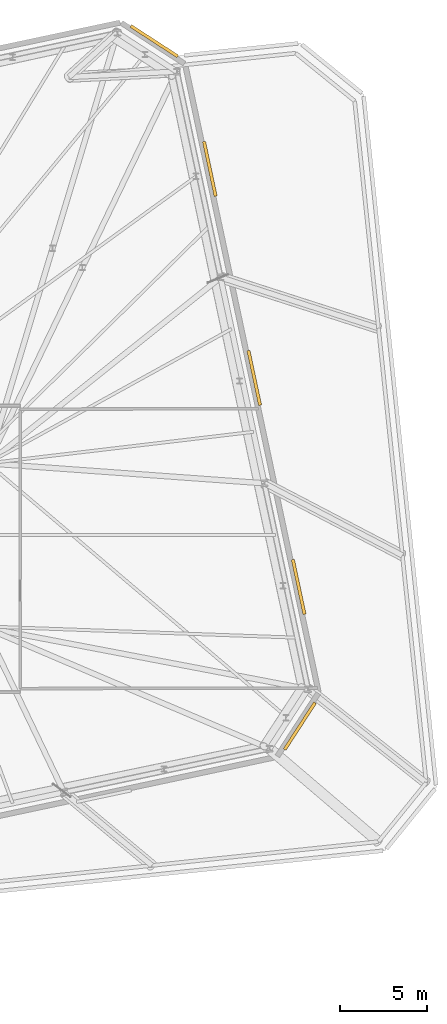
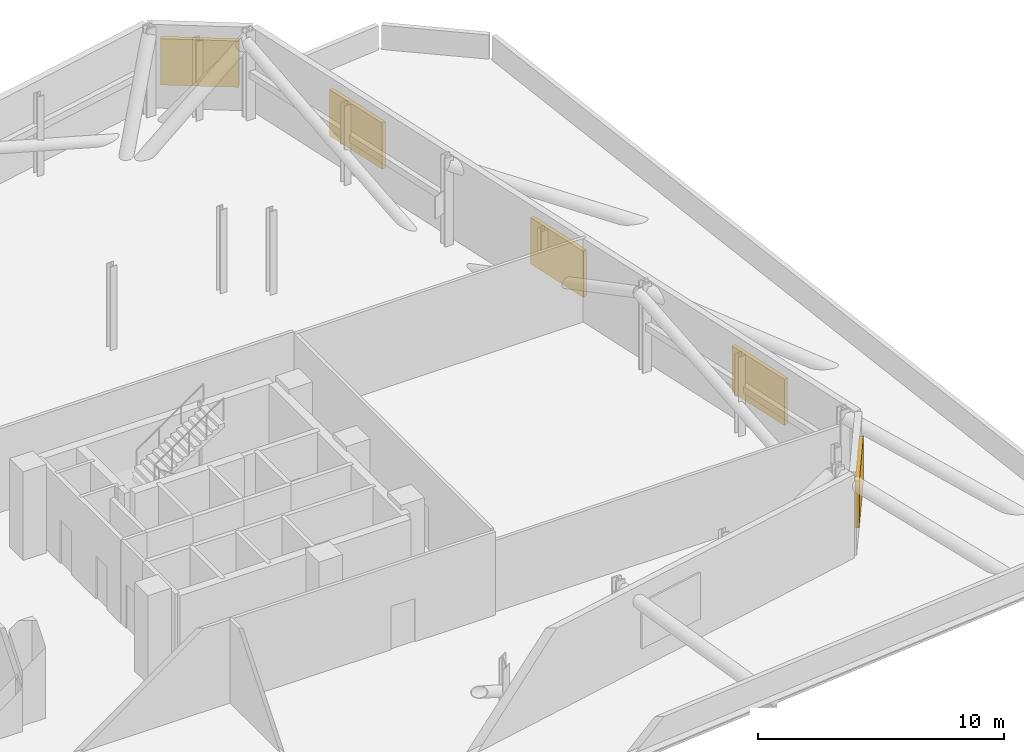
# One storey, part 19 of 19: 5 shading devices.
"""IFC4 building model written with IfcOpenShell, lengths in metres."""

import ifcopenshell
import ifcopenshell.guid

model = None  # the IFC model being written
_history = None  # IfcOwnerHistory: only IFC2X3 demands one
_inside = {}  # id of a spatial element -> (the spatial element, [elements in it])
_under = {}  # id of a project, library or spatial element -> (it, [spatial elements below it])
_declared = {}  # id of a project -> (the project, [libraries it declares])
_typed = {}  # id of a type object -> (the type object, [elements of that type])
_made_of = {}  # id of a material, layer set ... -> (it, [elements and type objects made of it])


def new_model(schema):
    """Start an empty IFC model of exactly this schema.

    Asked for "IFC4X3", IfcOpenShell would pick the latest addendum, in which some entities
    have other attributes; the version numbers below select the first issue.
    IFC2X3 requires an IfcOwnerHistory on every rooted entity: one is made here for all.
    """
    global model, _history
    if schema == "IFC4X3":
        model = ifcopenshell.file(schema_version=(4, 3, 0, 0))
    else:
        model = ifcopenshell.file(schema=schema)
    _inside.clear()
    _under.clear()
    _declared.clear()
    _typed.clear()
    _made_of.clear()
    _history = None
    if model.schema == "IFC2X3":
        org = make("IfcOrganization", Name="unknown")
        user = make(
            "IfcPersonAndOrganization",
            ThePerson=make("IfcPerson", FamilyName="unknown"),
            TheOrganization=org,
        )
        app = make(
            "IfcApplication",
            ApplicationDeveloper=org,
            Version="unknown",
            ApplicationFullName="unknown",
            ApplicationIdentifier="unknown",
        )
        _history = make(
            "IfcOwnerHistory",
            OwningUser=user,
            OwningApplication=app,
            ChangeAction="ADDED",
            CreationDate=0,
        )
    return model


def make(cls, **values):
    """One entity of the class cls with the attributes given. An attribute that is None is left unset."""
    return model.create_entity(
        cls, **{name: value for name, value in values.items() if value is not None}
    )


def rooted(cls, **values):
    """An entity with a GlobalId (a new one), such as an element, a storey or a relation."""
    return make(cls, GlobalId=ifcopenshell.guid.new(), OwnerHistory=_history, **values)


def si_unit(unit_type, name, prefix=None):
    """IfcSIUnit, for example si_unit("LENGTHUNIT", "METRE", prefix="MILLI")."""
    return make("IfcSIUnit", UnitType=unit_type, Prefix=prefix, Name=name)


def assignment(units):
    """IfcUnitAssignment: the units of a project."""
    return None if units is None else make("IfcUnitAssignment", Units=units)


def point(xyz):
    """IfcCartesianPoint."""
    return None if xyz is None else make("IfcCartesianPoint", Coordinates=xyz)


def direction(xyz):
    """IfcDirection."""
    return None if xyz is None else make("IfcDirection", DirectionRatios=xyz)


def frame(location, z_axis=None, x_axis=None):
    """IfcAxis2Placement3D, a coordinate frame: its origin and axes. An axis left out is left unset."""
    return make(
        "IfcAxis2Placement3D",
        Location=point(location),
        Axis=direction(z_axis),
        RefDirection=direction(x_axis),
    )


def frame_2d(location, x_axis=None):
    """IfcAxis2Placement2D, a coordinate frame in the plane: its origin and x axis."""
    return make(
        "IfcAxis2Placement2D", Location=point(location), RefDirection=direction(x_axis)
    )


def origin():
    """The frame at (0, 0, 0) with its axes left unset."""
    return frame((0.0, 0.0, 0.0))


def origin_2d():
    """The frame at (0, 0) in the plane with its x axis left unset."""
    return frame_2d((0.0, 0.0))


def place(relative_to, where):
    """IfcLocalPlacement: puts the frame where relative to a parent placement (None: the world)."""
    return make(
        "IfcLocalPlacement", PlacementRelTo=relative_to, RelativePlacement=where
    )


def context(
    kind, dimensions, precision=None, world=None, true_north=None, identifier=None
):
    """IfcGeometricRepresentationContext, for example the 3D "Model" context."""
    return make(
        "IfcGeometricRepresentationContext",
        ContextIdentifier=identifier,
        ContextType=kind,
        CoordinateSpaceDimension=dimensions,
        Precision=precision,
        WorldCoordinateSystem=world,
        TrueNorth=true_north,
    )


def subcontext(parent, identifier, kind, view, scale=None):
    """IfcGeometricRepresentationSubContext, for example "Body" below "Model"."""
    return make(
        "IfcGeometricRepresentationSubContext",
        ContextIdentifier=identifier,
        ContextType=kind,
        ParentContext=parent,
        TargetScale=scale,
        TargetView=view,
    )


def project(units=None, contexts=None):
    """IfcProject with its units and contexts."""
    return rooted(
        "IfcProject",
        Name="project",
        RepresentationContexts=contexts,
        UnitsInContext=assignment(units),
    )


def spatial(cls, under=None, at=None, **own):
    """A site, building, storey or space (cls), placed at a placement, below another one or the project."""
    s = rooted(cls, ObjectPlacement=at, **own)
    if under is not None:
        _under.setdefault(under.id(), (under, []))[1].append(s)
    return s


def profile(cls, at=None, kind="AREA", **sizes):
    """A parametric profile (cls). Its sizes go by their IFC names, for example OverallWidth=200.0."""
    return make(cls, ProfileType=kind, Position=at, **sizes)


def rectangle(**sizes):
    """IfcRectangleProfileDef."""
    return profile("IfcRectangleProfileDef", **sizes)


def extrude(swept, where, along, depth):
    """IfcExtrudedAreaSolid: the profile swept, set in the frame where, extruded along a direction by depth."""
    return make(
        "IfcExtrudedAreaSolid",
        SweptArea=swept,
        Position=where,
        ExtrudedDirection=direction(along),
        Depth=depth,
    )


def shape(context_of_items, identifier, shape_type, items):
    """IfcShapeRepresentation: the items that make up one representation, for example the "Body"."""
    return make(
        "IfcShapeRepresentation",
        ContextOfItems=context_of_items,
        RepresentationIdentifier=identifier,
        RepresentationType=shape_type,
        Items=items,
    )


def material(Name=None, Category=None):
    """IfcMaterial."""
    return make("IfcMaterial", Name=Name, Category=Category)


def made_of(thing, what):
    """Note that an element or type object is made of a material, layer set ...; save() writes the relation."""
    if what is not None:
        _made_of.setdefault(what.id(), (what, []))[1].append(thing)
    return thing


def type_object(cls, material=None, **own):
    """A type object (cls), such as IfcWallType, which elements share."""
    return made_of(rooted(cls, **own), material)


def element(
    cls,
    number,
    at=None,
    inside=None,
    cuts=None,
    type_object=None,
    material=None,
    context=None,
    identifier="Body",
    shape_type=None,
    held_by="IfcProductDefinitionShape",
    body=None,
    shapes=None,
    **own,
):
    """One element of the class cls, such as IfcWall. Its Tag is "e" and its number.

    at: its placement. inside: the storey or other place that contains it. cuts: it is an
    opening in that element (IfcRelVoidsElement). A single representation is given by context,
    identifier, shape_type and body (its items); several are given by shapes. held_by: the class
    of the entity that holds the representations. save() writes the other relations.
    """
    e = rooted(cls, Tag="e%d" % number, ObjectPlacement=at, **own)
    if body is not None:
        shapes = [shape(context, identifier, shape_type, body)]
    if shapes is not None:
        e.Representation = make(held_by, Representations=shapes)
    if inside is not None:
        _inside.setdefault(inside.id(), (inside, []))[1].append(e)
    if cuts is not None:
        rooted(
            "IfcRelVoidsElement", RelatingBuildingElement=cuts, RelatedOpeningElement=e
        )
    if type_object is not None:
        _typed.setdefault(type_object.id(), (type_object, []))[1].append(e)
    return made_of(e, material)


def aggregate(whole, parts):
    """IfcRelAggregates: a whole, such as a stair, and the parts it consists of."""
    return rooted("IfcRelAggregates", RelatingObject=whole, RelatedObjects=parts)


def save(model, path):
    """Write the relations noted so far, then the file.

    IfcRelAggregates (storeys below a building ...), IfcRelContainedInSpatialStructure (elements
    in a storey), IfcRelDefinesByType, IfcRelAssociatesMaterial and IfcRelDeclares: one each for
    every whole, place, type object, material and project.
    """
    for whole, parts in _under.values():
        aggregate(whole, parts)
    for where, things in _inside.values():
        rooted(
            "IfcRelContainedInSpatialStructure",
            RelatedElements=things,
            RelatingStructure=where,
        )
    for kind, things in _typed.values():
        rooted("IfcRelDefinesByType", RelatedObjects=things, RelatingType=kind)
    for what, things in _made_of.values():
        rooted("IfcRelAssociatesMaterial", RelatedObjects=things, RelatingMaterial=what)
    for by, libraries in _declared.values():
        rooted("IfcRelDeclares", RelatingContext=by, RelatedDefinitions=libraries)
    model.write(path)


model = new_model("IFC4")

# Units and contexts
model_context = context("Model", 3, precision=1e-05, world=origin(), true_north=direction((0.0, 1.0)))
body_context = subcontext(model_context, "Body", "Model", "MODEL_VIEW")
ifc_project = project(units=[si_unit("LENGTHUNIT", "METRE"), si_unit("AREAUNIT", "SQUARE_METRE"), si_unit("VOLUMEUNIT", "CUBIC_METRE"), si_unit("PLANEANGLEUNIT", "RADIAN"), si_unit("MASSUNIT", "GRAM", prefix="KILO")], contexts=[model_context])

# Site, building, storey
site_placement = place(None, origin())
site = spatial("IfcSite", under=ifc_project, at=site_placement, CompositionType="ELEMENT")
building_placement = place(site_placement, origin())
building = spatial("IfcBuilding", under=site, at=building_placement, Name="Menara Jurai Vektor", CompositionType="ELEMENT")
storey_placement = place(building_placement, frame((0.0, 0.0, 142.89990234375)))
storey = spatial("IfcBuildingStorey", under=building, at=storey_placement, Name="L36", CompositionType="ELEMENT", Elevation=142.89990234375)

# Shading devices
ifc_material = material(Name="Anodised Pale Aluminium Acoustic Louvre", Category="aluminium")
shading_device_type = type_object("IfcShadingDeviceType", Name="ENV-SHD-LOUVRE", PredefinedType="USERDEFINED", material=ifc_material)
for number, where, z_axis, x_axis, name in (
    (1, (33.1171875, -10.1474609375, 1.00830078125), (0.0, 0.0, 1.0), (0.544639035015, 0.838670567945, 0.0), "Acoustic Plant Weather Louvre L36-E02-1"),
    (2, (33.049072265625, -2.17529296875, 1.00830078125), (0.0, 0.0, 1.0), (-0.207911690818, 0.978147600734, 0.0), "Acoustic Plant Weather Louvre L36-E03-1"),
    (3, (30.5048828125, 9.794189453125, 1.00830078125), (0.0, 0.0, 1.0), (-0.207911690818, 0.978147600734, 0.0), "Acoustic Plant Weather Louvre L36-E03-2"),
    (4, (27.960693359375, 21.763427734375, 1.00830078125), (0.0, 0.0, 1.0), (-0.207911690818, 0.978147600734, 0.0), "Acoustic Plant Weather Louvre L36-E03-3"),
    (5, (24.7802734375, 29.07421875, 1.00830078125), (0.0, 0.0, 1.0), (-0.838670567945, 0.544639035015, 0.0), "Acoustic Plant Weather Louvre L36-E04-1"),
):
    element("IfcShadingDevice", number, at=place(storey_placement, frame(where, z_axis=z_axis, x_axis=x_axis)), inside=storey, type_object=shading_device_type, Name=name, ObjectType="LOUVRE", PredefinedType="USERDEFINED", context=body_context, shape_type="SweptSolid", body=[
        extrude(rectangle(XDim=3.199951171875, YDim=0.179931640625, at=origin_2d()), origin(), (0.0, 0.0, 1.0), 2.300048828125),
    ])

save(model, "model.ifc")
